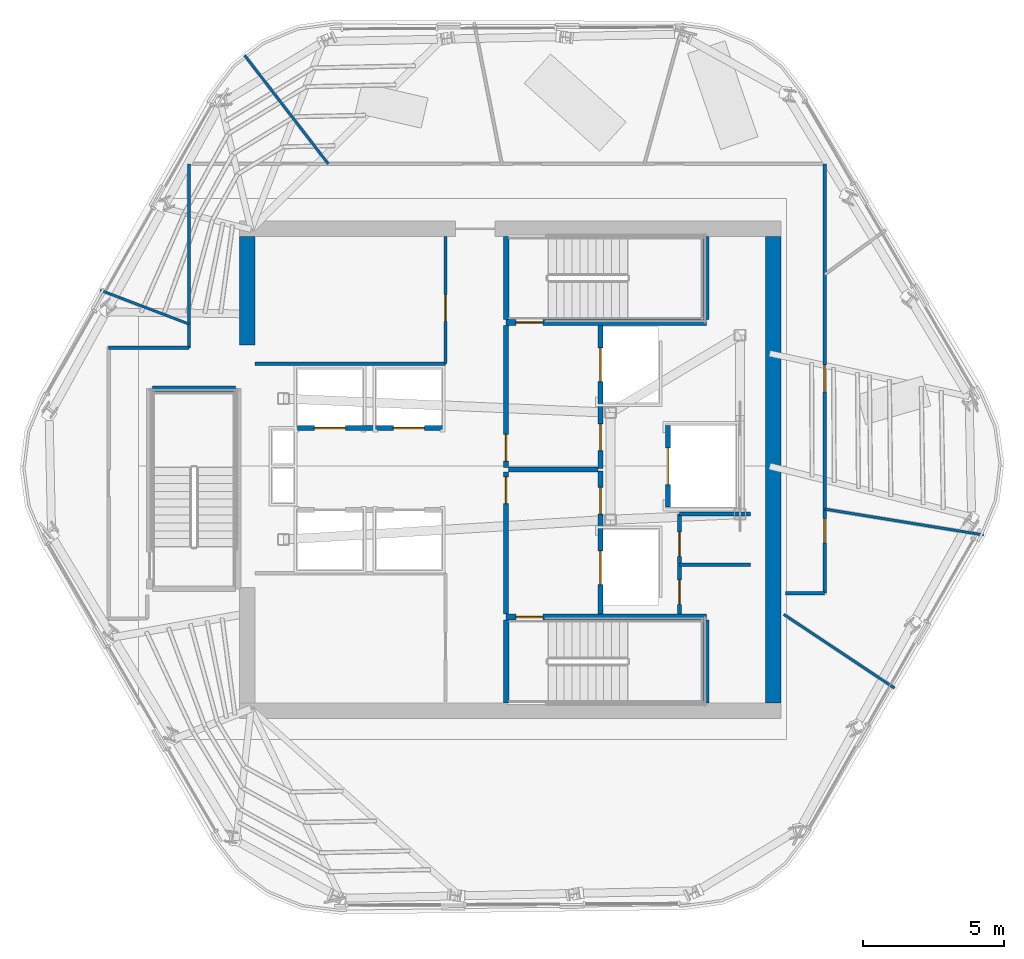
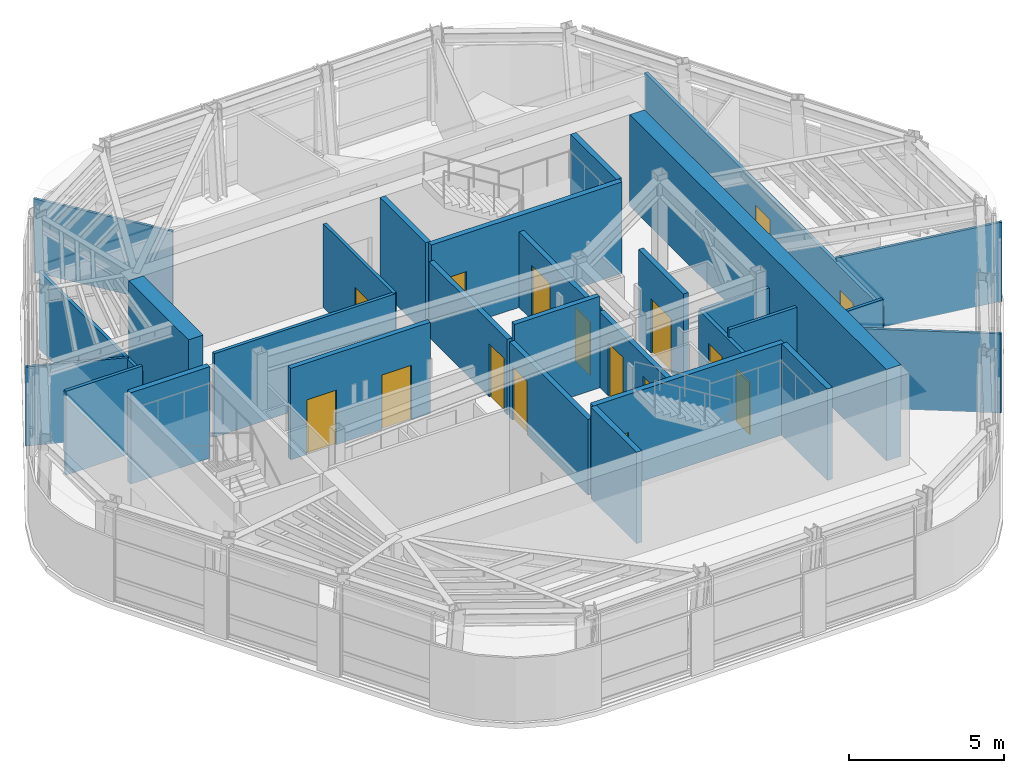
# One storey, part 7 of 13: 29 walls, 16 doors, 16 openings.
"""IFC4 building model written with IfcOpenShell, lengths in metres."""

from ifc_helpers import new_model, si_unit, direction, frame, frame_2d, origin, place, context, subcontext, project, spatial, rectangle, extrude, material, layer, layer_set, type_object, element, fill, save


model = new_model("IFC4")

# Units and contexts
model_context = context("Model", 3, precision=1e-05, world=origin(), true_north=direction((0.0, 1.0)))
body_context = subcontext(model_context, "Body", "Model", "MODEL_VIEW")
ifc_project = project(units=[si_unit("LENGTHUNIT", "METRE"), si_unit("AREAUNIT", "SQUARE_METRE"), si_unit("VOLUMEUNIT", "CUBIC_METRE"), si_unit("PLANEANGLEUNIT", "RADIAN"), si_unit("MASSUNIT", "GRAM", prefix="KILO")], contexts=[model_context])

# Site, building, storey
site_placement = place(None, origin())
site = spatial("IfcSite", under=ifc_project, at=site_placement, CompositionType="ELEMENT")
building_placement = place(site_placement, origin())
building = spatial("IfcBuilding", under=site, at=building_placement, Name="Valkerne Bourse Tower", CompositionType="ELEMENT")
storey_placement = place(building_placement, frame((0.0, 0.0, 285.0)))
storey = spatial("IfcBuildingStorey", under=building, at=storey_placement, Name="L72", CompositionType="ELEMENT", Elevation=285.0)

# Walls
ifc_material_1 = material(Name="Concrete C55/67", Category="concrete")
ifc_layer_1 = layer(ifc_material_1, 0.550048828125)
ifc_layer_set_1 = layer_set([ifc_layer_1], Name="Concrete C55/67")
wall_type_1 = type_object("IfcWallType", Name="W-CORE-550", PredefinedType="SHEAR", material=ifc_layer_set_1)
wall_1_placement = place(storey_placement, frame((56.125, 18.60009765625, 0.0), z_axis=(0.0, 0.0, 1.0), x_axis=(0.0, 1.0, 0.0)))
element("IfcWall", 1, at=wall_1_placement, inside=storey, type_object=wall_type_1, Name="L72 Core Shear Wall EAST", PredefinedType="SHEAR", context=body_context, shape_type="SweptSolid", body=[
    extrude(rectangle(XDim=16.5498046875, YDim=0.550048828125, at=frame_2d((8.27490234375, 0.0))), origin(), (0.0, 0.0, 1.0), 3.60009765625),
])
wall_2_placement = place(storey_placement, frame((37.47509765625, 31.300048828125, 0.0), z_axis=(0.0, 0.0, 1.0), x_axis=(0.0, 1.0, 0.0)))
element("IfcWall", 2, at=wall_2_placement, inside=storey, type_object=wall_type_1, Name="L72 Core Shear Wall WEST-N", PredefinedType="SHEAR", context=body_context, shape_type="SweptSolid", body=[
    extrude(rectangle(XDim=3.849853515625, YDim=0.550048828125, at=frame_2d((1.9248046875, 0.0))), origin(), (0.0, 0.0, 1.0), 3.60009765625),
])

# Wall, opening, door
ifc_material_2 = material(Name="Gypsum Board Steel-Stud Partition", Category="steel")
ifc_layer_2 = layer(ifc_material_2, 0.117919921875)
ifc_layer_set_2 = layer_set([ifc_layer_2], Name="Gypsum Board Steel-Stud Partition")
wall_type_2 = type_object("IfcWallType", Name="W-CORR-140", PredefinedType="PARTITIONING", material=ifc_layer_set_2)
wall_3_placement = place(storey_placement, frame((44.5, 30.639892578125, 0.0), z_axis=(0.0, 0.0, 1.0), x_axis=(0.0, 1.0, 0.0)))
wall_3 = element("IfcWall", 3, at=wall_3_placement, inside=storey, type_object=wall_type_2, Name="L72 LV7 Mid-Bank East Wall", PredefinedType="PARTITIONING", context=body_context, shape_type="SweptSolid", body=[
    extrude(rectangle(XDim=4.510009765625, YDim=0.117919921875, at=frame_2d((2.2548828125, 0.0))), origin(), (0.0, 0.0, 1.0), 3.300048828125),
])
opening_1_placement = place(wall_3_placement, frame((1.5, 0.0, 0.0)))
opening_1 = element("IfcOpeningElement", 4, at=opening_1_placement, cuts=wall_3, Name="Opening D-SV-950", PredefinedType="OPENING", context=body_context, shape_type="SweptSolid", body=[
    extrude(rectangle(XDim=0.949951171875, YDim=2.050048828125, at=frame_2d((0.47509765625, 1.02490234375))), frame((0.0, 0.06884765625, 0.0), z_axis=(0.0, -1.0, 0.0), x_axis=(1.0, 0.0, 0.0)), (0.0, 0.0, 1.0), 0.137939453125),
])
ifc_material_3 = material(Name="Galvanised Painted Steel", Category="steel")
door_type_1 = type_object("IfcDoorType", Name="DR-SRV-950", OperationType="NOTDEFINED", PredefinedType="DOOR", material=ifc_material_3)
door_1_placement = place(opening_1_placement, origin())
door_1 = element("IfcDoor", 5, at=door_1_placement, inside=storey, type_object=door_type_1, Name="L72 Executive Treasury Conference Door", OperationType="SINGLE_SWING_LEFT", OverallHeight=2.050048828125, OverallWidth=0.949951171875, PredefinedType="DOOR", context=body_context, shape_type="SweptSolid", body=[
    extrude(rectangle(XDim=0.949951171875, YDim=2.050048828125, at=frame_2d((0.47509765625, 1.02490234375))), frame((0.0, 0.02490234375, 0.0), z_axis=(0.0, -1.0, 0.0), x_axis=(1.0, 0.0, 0.0)), (0.0, 0.0, 1.0), 0.050048828125),
])
fill(opening_1, door_1)

# Walls
wall_4_placement = place(storey_placement, frame((37.75, 30.639892578125, 0.0), z_axis=(0.0, 0.0, 1.0), x_axis=(1.0, 0.0, 0.0)))
element("IfcWall", 6, at=wall_4_placement, inside=storey, type_object=wall_type_2, Name="L72 LV7 Mid-Bank South Wall", PredefinedType="PARTITIONING", context=body_context, shape_type="SweptSolid", body=[
    extrude(rectangle(XDim=6.75, YDim=0.117919921875, at=frame_2d((3.375, 0.0))), origin(), (0.0, 0.0, 1.0), 3.300048828125),
])
wall_5_placement = place(storey_placement, frame((52.800048828125, 23.510009765625, 0.0), z_axis=(0.0, 0.0, 1.0), x_axis=(1.0, 0.0, 0.0)))
element("IfcWall", 7, at=wall_5_placement, inside=storey, type_object=wall_type_2, Name="L72 Core SE Dual Divider", PredefinedType="PARTITIONING", context=body_context, shape_type="SweptSolid", body=[
    extrude(rectangle(XDim=2.52001953125, YDim=0.117919921875, at=frame_2d((1.260009765625, 0.0))), origin(), (0.0, 0.0, 1.0), 3.300048828125),
])
wall_6_placement = place(storey_placement, frame((35.39990234375, 31.199951171875, 0.0), z_axis=(0.0, 0.0, 1.0), x_axis=(0.0, 1.0, 0.0)))
element("IfcWall", 8, at=wall_6_placement, inside=storey, type_object=wall_type_2, Name="L72 Corridor Enclosure Wall", PredefinedType="PARTITIONING", context=body_context, shape_type="SweptSolid", body=[
    extrude(rectangle(XDim=6.52001953125, YDim=0.117919921875, at=frame_2d((3.260009765625, 0.0))), origin(), (0.0, 0.0, 1.0), 3.056640625),
])

# Wall, openings, doors
wall_7_placement = place(storey_placement, frame((57.949951171875, 37.719970703125, 0.0), z_axis=(0.0, 0.0, 1.0), x_axis=(0.0, -1.0, 0.0)))
wall_7 = element("IfcWall", 9, at=wall_7_placement, inside=storey, type_object=wall_type_2, Name="L72 Corridor Enclosure Wall", PredefinedType="PARTITIONING", context=body_context, shape_type="SweptSolid", body=[
    extrude(rectangle(XDim=15.219970703125, YDim=0.117919921875, at=frame_2d((7.60986328125, 0.0))), origin(), (0.0, 0.0, 1.0), 2.98291015625),
])
opening_2_placement = place(wall_7_placement, frame((12.580078125, 0.0, 0.0)))
opening_2 = element("IfcOpeningElement", 10, at=opening_2_placement, cuts=wall_7, Name="Opening D-WC-900", PredefinedType="OPENING", context=body_context, shape_type="SweptSolid", body=[
    extrude(rectangle(XDim=0.860107421875, YDim=2.050048828125, at=frame_2d((0.43017578125, 1.02490234375))), frame((0.0, 0.06884765625, 0.0), z_axis=(0.0, -1.0, 0.0), x_axis=(1.0, 0.0, 0.0)), (0.0, 0.0, 1.0), 0.137939453125),
])
opening_3_placement = place(wall_7_placement, frame((7.135009765625, 0.0, 0.0)))
opening_3 = element("IfcOpeningElement", 11, at=opening_3_placement, cuts=wall_7, Name="Opening D-OF-950", PredefinedType="OPENING", context=body_context, shape_type="SweptSolid", body=[
    extrude(rectangle(XDim=0.949951171875, YDim=2.10009765625, at=frame_2d((0.47509765625, 1.050048828125))), frame((0.0, 0.06884765625, 0.0), z_axis=(0.0, -1.0, 0.0), x_axis=(1.0, 0.0, 0.0)), (0.0, 0.0, 1.0), 0.137939453125),
])
ifc_material_4 = material(Name="Architectural White Oak Timber", Category="wood")
door_type_2 = type_object("IfcDoorType", Name="DR-OFF-950", OperationType="NOTDEFINED", PredefinedType="DOOR", material=ifc_material_4)
door_2_placement = place(opening_3_placement, origin())
door_2 = element("IfcDoor", 12, at=door_2_placement, inside=storey, type_object=door_type_2, Name="L72 L72 Commodities Market Showroom 6 Door", OperationType="SINGLE_SWING_RIGHT", OverallHeight=2.10009765625, OverallWidth=0.949951171875, PredefinedType="DOOR", context=body_context, shape_type="SweptSolid", body=[
    extrude(rectangle(XDim=0.949951171875, YDim=2.10009765625, at=frame_2d((0.47509765625, 1.050048828125))), frame((0.0, 0.02490234375, 0.0), z_axis=(0.0, -1.0, 0.0), x_axis=(1.0, 0.0, 0.0)), (0.0, 0.0, 1.0), 0.050048828125),
])
fill(opening_3, door_2)
door_type_3 = type_object("IfcDoorType", Name="DR-WC-900", OperationType="NOTDEFINED", PredefinedType="DOOR", material=ifc_material_4)
door_3_placement = place(opening_2_placement, origin())
door_3 = element("IfcDoor", 13, at=door_3_placement, inside=storey, type_object=door_type_3, Name="L72 L72 Women Restroom & Shower WC 2 Door", OperationType="SINGLE_SWING_RIGHT", OverallHeight=2.050048828125, OverallWidth=0.860107421875, PredefinedType="DOOR", context=body_context, shape_type="SweptSolid", body=[
    extrude(rectangle(XDim=0.860107421875, YDim=2.050048828125, at=frame_2d((0.43017578125, 1.02490234375))), frame((0.0, 0.02490234375, 0.0), z_axis=(0.0, -1.0, 0.0), x_axis=(1.0, 0.0, 0.0)), (0.0, 0.0, 1.0), 0.050048828125),
])
fill(opening_2, door_3)

# Walls
wall_8_placement = place(storey_placement, frame((57.949951171875, 22.5, 0.0), z_axis=(0.0, 0.0, 1.0), x_axis=(-1.0, 0.0, 0.0)))
element("IfcWall", 14, at=wall_8_placement, inside=storey, type_object=wall_type_2, Name="L72 Corridor Enclosure Wall", PredefinedType="PARTITIONING", context=body_context, shape_type="SweptSolid", body=[
    extrude(rectangle(XDim=1.389892578125, YDim=0.117919921875, at=frame_2d((0.69482421875, 0.0))), origin(), (0.0, 0.0, 1.0), 3.300048828125),
])
wall_9_placement = place(storey_placement, frame((32.550048828125, 31.199951171875, 0.0), z_axis=(0.0, 0.0, 1.0), x_axis=(1.0, 0.0, 0.0)))
element("IfcWall", 15, at=wall_9_placement, inside=storey, type_object=wall_type_2, Name="L72 Corridor Enclosure Wall", PredefinedType="PARTITIONING", context=body_context, shape_type="SweptSolid", body=[
    extrude(rectangle(XDim=2.849853515625, YDim=0.117919921875, at=frame_2d((1.4248046875, 0.0))), origin(), (0.0, 0.0, 1.0), 3.300048828125),
])
ifc_material_5 = material(Name="Gypsum Fire-Rated Shaftwall", Category="gypsum")
ifc_layer_3 = layer(ifc_material_5, 0.179931640625)
ifc_layer_set_3 = layer_set([ifc_layer_3], Name="Gypsum Fire-Rated Shaftwall")
wall_type_3 = type_object("IfcWallType", Name="W-FSAE-180", PredefinedType="PARTITIONING", material=ifc_layer_set_3)
wall_10_placement = place(storey_placement, frame((46.739990234375, 26.8798828125, 0.0), z_axis=(0.0, 0.0, 1.0), x_axis=(1.0, 0.0, 0.0)))
element("IfcWall", 16, at=wall_10_placement, inside=storey, type_object=wall_type_3, Name="L72 FSAE-1/2 Lobby Dividing Fire Wall", PredefinedType="PARTITIONING", context=body_context, shape_type="SweptSolid", body=[
    extrude(rectangle(XDim=3.169921875, YDim=0.179931640625, at=frame_2d((1.5849609375, 0.0))), origin(), (0.0, 0.0, 1.0), 3.60009765625),
])

# Wall, opening, door
wall_11_placement = place(storey_placement, frame((46.64990234375, 21.75, 0.0), z_axis=(0.0, 0.0, 1.0), x_axis=(0.0, 1.0, 0.0)))
wall_11 = element("IfcWall", 17, at=wall_11_placement, inside=storey, type_object=wall_type_3, Name="L72 FSAE-1 Lobby West Fire Wall", PredefinedType="PARTITIONING", context=body_context, shape_type="SweptSolid", body=[
    extrude(rectangle(XDim=5.050048828125, YDim=0.179931640625, at=frame_2d((2.52490234375, 0.0))), origin(), (0.0, 0.0, 1.0), 2.977783203125),
])
opening_4_placement = place(wall_11_placement, frame((3.919921875, 0.0, 0.0)))
opening_4 = element("IfcOpeningElement", 18, at=opening_4_placement, cuts=wall_11, Name="Opening D-FS-950", PredefinedType="OPENING", context=body_context, shape_type="SweptSolid", body=[
    extrude(rectangle(XDim=0.949951171875, YDim=2.10009765625, at=frame_2d((0.47509765625, 1.050048828125))), frame((0.0, 0.099853515625, 0.0), z_axis=(0.0, -1.0, 0.0), x_axis=(1.0, 0.0, 0.0)), (0.0, 0.0, 1.0), 0.199951171875),
])
door_type_4 = type_object("IfcDoorType", Name="DR-FSAE-950", OperationType="NOTDEFINED", PredefinedType="DOOR", material=ifc_material_3)
door_4_placement = place(opening_4_placement, origin())
door_4 = element("IfcDoor", 19, at=door_4_placement, inside=storey, type_object=door_type_4, Name="L72 FSAE-1 Hall Link Fire Door", OperationType="SINGLE_SWING_LEFT", OverallHeight=2.10009765625, OverallWidth=0.949951171875, PredefinedType="DOOR", context=body_context, shape_type="SweptSolid", body=[
    extrude(rectangle(XDim=0.949951171875, YDim=2.10009765625, at=frame_2d((0.47509765625, 1.050048828125))), frame((0.0, 0.02490234375, 0.0), z_axis=(0.0, -1.0, 0.0), x_axis=(1.0, 0.0, 0.0)), (0.0, 0.0, 1.0), 0.050048828125),
])
fill(opening_4, door_4)

wall_12_placement = place(storey_placement, frame((46.64990234375, 26.9599609375, 0.0), z_axis=(0.0, 0.0, 1.0), x_axis=(0.0, 1.0, 0.0)))
wall_12 = element("IfcWall", 20, at=wall_12_placement, inside=storey, type_object=wall_type_3, Name="L72 FSAE-2 Lobby West Fire Wall", PredefinedType="PARTITIONING", context=body_context, shape_type="SweptSolid", body=[
    extrude(rectangle(XDim=5.0400390625, YDim=0.179931640625, at=frame_2d((2.52001953125, 0.0))), origin(), (0.0, 0.0, 1.0), 2.977783203125),
])
opening_5_placement = place(wall_12_placement, frame((0.219970703125, 0.0, 0.0)))
opening_5 = element("IfcOpeningElement", 21, at=opening_5_placement, cuts=wall_12, Name="Opening D-FS-950", PredefinedType="OPENING", context=body_context, shape_type="SweptSolid", body=[
    extrude(rectangle(XDim=0.949951171875, YDim=2.10009765625, at=frame_2d((0.47509765625, 1.050048828125))), frame((0.0, 0.099853515625, 0.0), z_axis=(0.0, -1.0, 0.0), x_axis=(1.0, 0.0, 0.0)), (0.0, 0.0, 1.0), 0.199951171875),
])
door_5_placement = place(opening_5_placement, origin())
door_5 = element("IfcDoor", 22, at=door_5_placement, inside=storey, type_object=door_type_4, Name="L72 FSAE-2 Hall Link Fire Door", OperationType="SINGLE_SWING_LEFT", OverallHeight=2.10009765625, OverallWidth=0.949951171875, PredefinedType="DOOR", context=body_context, shape_type="SweptSolid", body=[
    extrude(rectangle(XDim=0.949951171875, YDim=2.10009765625, at=frame_2d((0.47509765625, 1.050048828125))), frame((0.0, 0.02490234375, 0.0), z_axis=(0.0, -1.0, 0.0), x_axis=(1.0, 0.0, 0.0)), (0.0, 0.0, 1.0), 0.050048828125),
])
fill(opening_5, door_5)

# Wall, openings, doors
wall_13_placement = place(storey_placement, frame((50.0, 21.75, 0.0), z_axis=(0.0, 0.0, 1.0), x_axis=(0.0, 1.0, 0.0)))
wall_13 = element("IfcWall", 23, at=wall_13_placement, inside=storey, type_object=wall_type_3, Name="L72 FSAE-1 Lobby & Shaft Front Wall", PredefinedType="PARTITIONING", context=body_context, shape_type="SweptSolid", body=[
    extrude(rectangle(XDim=5.090087890625, YDim=0.179931640625, at=frame_2d((2.544921875, 0.0))), origin(), (0.0, 0.0, 1.0), 2.977783203125),
])
opening_6_placement = place(wall_13_placement, frame((1.050048828125, 0.0, 0.0)))
opening_6 = element("IfcOpeningElement", 24, at=opening_6_placement, cuts=wall_13, Name="Opening LD-1200", PredefinedType="OPENING", context=body_context, shape_type="SweptSolid", body=[
    extrude(rectangle(XDim=1.199951171875, YDim=2.14990234375, at=frame_2d((0.60009765625, 1.074951171875))), frame((0.0, 0.099853515625, 0.0), z_axis=(0.0, -1.0, 0.0), x_axis=(1.0, 0.0, 0.0)), (0.0, 0.0, 1.0), 0.199951171875),
])
opening_7_placement = place(wall_13_placement, frame((3.550048828125, 0.0, 0.0)))
opening_7 = element("IfcOpeningElement", 25, at=opening_7_placement, cuts=wall_13, Name="Opening D-FS-950", PredefinedType="OPENING", context=body_context, shape_type="SweptSolid", body=[
    extrude(rectangle(XDim=0.949951171875, YDim=2.10009765625, at=frame_2d((0.47509765625, 1.050048828125))), frame((0.0, 0.099853515625, 0.0), z_axis=(0.0, -1.0, 0.0), x_axis=(1.0, 0.0, 0.0)), (0.0, 0.0, 1.0), 0.199951171875),
])
door_6_placement = place(opening_7_placement, origin())
door_6 = element("IfcDoor", 26, at=door_6_placement, inside=storey, type_object=door_type_4, Name="L72 FSAE-1 Lobby Corridor Fire Door", OperationType="SINGLE_SWING_LEFT", OverallHeight=2.10009765625, OverallWidth=0.949951171875, PredefinedType="DOOR", context=body_context, shape_type="SweptSolid", body=[
    extrude(rectangle(XDim=0.949951171875, YDim=2.10009765625, at=frame_2d((0.47509765625, 1.050048828125))), frame((0.0, 0.02490234375, 0.0), z_axis=(0.0, -1.0, 0.0), x_axis=(1.0, 0.0, 0.0)), (0.0, 0.0, 1.0), 0.050048828125),
])
fill(opening_7, door_6)
ifc_material_6 = material(Name="Stainless Steel AISI 316", Category="steel")
door_type_5 = type_object("IfcDoorType", Name="DR-LIFT-1200", OperationType="DOUBLE_DOOR_SLIDING", PredefinedType="DOOR", material=ifc_material_6)
door_7_placement = place(opening_6_placement, origin())
door_7 = element("IfcDoor", 27, at=door_7_placement, inside=storey, type_object=door_type_5, Name="L72 FSAE-1 Firefighting Lift Landing Door", OperationType="DOUBLE_DOOR_SLIDING", OverallHeight=2.14990234375, OverallWidth=1.199951171875, PredefinedType="DOOR", context=body_context, shape_type="SweptSolid", body=[
    extrude(rectangle(XDim=1.199951171875, YDim=2.14990234375, at=frame_2d((0.60009765625, 1.074951171875))), frame((0.0, 0.02490234375, 0.0), z_axis=(0.0, -1.0, 0.0), x_axis=(1.0, 0.0, 0.0)), (0.0, 0.0, 1.0), 0.050048828125),
])
fill(opening_6, door_7)

wall_14_placement = place(storey_placement, frame((50.0, 26.919921875, 0.0), z_axis=(0.0, 0.0, 1.0), x_axis=(0.0, 1.0, 0.0)))
wall_14 = element("IfcWall", 28, at=wall_14_placement, inside=storey, type_object=wall_type_3, Name="L72 FSAE-2 Lobby & Shaft Front Wall", PredefinedType="PARTITIONING", context=body_context, shape_type="SweptSolid", body=[
    extrude(rectangle(XDim=5.080078125, YDim=0.179931640625, at=frame_2d((2.5400390625, 0.0))), origin(), (0.0, 0.0, 1.0), 2.977783203125),
])
opening_8_placement = place(wall_14_placement, frame((3.080078125, 0.0, 0.0)))
opening_8 = element("IfcOpeningElement", 29, at=opening_8_placement, cuts=wall_14, Name="Opening LD-1200", PredefinedType="OPENING", context=body_context, shape_type="SweptSolid", body=[
    extrude(rectangle(XDim=1.199951171875, YDim=2.14990234375, at=frame_2d((0.60009765625, 1.074951171875))), frame((0.0, 0.099853515625, 0.0), z_axis=(0.0, -1.0, 0.0), x_axis=(1.0, 0.0, 0.0)), (0.0, 0.0, 1.0), 0.199951171875),
])
opening_9_placement = place(wall_14_placement, frame((0.6298828125, 0.0, 0.0)))
opening_9 = element("IfcOpeningElement", 30, at=opening_9_placement, cuts=wall_14, Name="Opening D-FS-950", PredefinedType="OPENING", context=body_context, shape_type="SweptSolid", body=[
    extrude(rectangle(XDim=0.949951171875, YDim=2.10009765625, at=frame_2d((0.47509765625, 1.050048828125))), frame((0.0, 0.099853515625, 0.0), z_axis=(0.0, -1.0, 0.0), x_axis=(1.0, 0.0, 0.0)), (0.0, 0.0, 1.0), 0.199951171875),
])
door_8_placement = place(opening_9_placement, origin())
door_8 = element("IfcDoor", 31, at=door_8_placement, inside=storey, type_object=door_type_4, Name="L72 FSAE-2 Lobby Corridor Fire Door", OperationType="SINGLE_SWING_LEFT", OverallHeight=2.10009765625, OverallWidth=0.949951171875, PredefinedType="DOOR", context=body_context, shape_type="SweptSolid", body=[
    extrude(rectangle(XDim=0.949951171875, YDim=2.10009765625, at=frame_2d((0.47509765625, 1.050048828125))), frame((0.0, 0.02490234375, 0.0), z_axis=(0.0, -1.0, 0.0), x_axis=(1.0, 0.0, 0.0)), (0.0, 0.0, 1.0), 0.050048828125),
])
fill(opening_9, door_8)
door_9_placement = place(opening_8_placement, origin())
door_9 = element("IfcDoor", 32, at=door_9_placement, inside=storey, type_object=door_type_5, Name="L72 FSAE-2 Firefighting Lift Landing Door", OperationType="DOUBLE_DOOR_SLIDING", OverallHeight=2.14990234375, OverallWidth=1.199951171875, PredefinedType="DOOR", context=body_context, shape_type="SweptSolid", body=[
    extrude(rectangle(XDim=1.199951171875, YDim=2.14990234375, at=frame_2d((0.60009765625, 1.074951171875))), frame((0.0, 0.02490234375, 0.0), z_axis=(0.0, -1.0, 0.0), x_axis=(1.0, 0.0, 0.0)), (0.0, 0.0, 1.0), 0.050048828125),
])
fill(opening_8, door_9)

# Wall, opening, door
ifc_material_7 = material(Name="CMU Blockwork Masonry 200mm", Category="masonry")
ifc_layer_4 = layer(ifc_material_7, 0.179931640625)
ifc_layer_set_4 = layer_set([ifc_layer_4], Name="CMU Blockwork Masonry 200mm")
wall_type_4 = type_object("IfcWallType", Name="W-LFT-180", PredefinedType="SOLIDWALL", material=ifc_layer_set_4)
wall_15_placement = place(storey_placement, frame((52.39990234375, 25.550048828125, 0.0), z_axis=(0.0, 0.0, 1.0), x_axis=(0.0, 1.0, 0.0)))
wall_15 = element("IfcWall", 33, at=wall_15_placement, inside=storey, type_object=wall_type_4, Name="L72 Service Lift SV-1 Front Wall", PredefinedType="SOLIDWALL", context=body_context, shape_type="SweptSolid", body=[
    extrude(rectangle(XDim=2.89990234375, YDim=0.179931640625, at=frame_2d((1.449951171875, 0.0))), origin(), (0.0, 0.0, 1.0), 3.60009765625),
])
opening_10_placement = place(wall_15_placement, frame((0.800048828125, 0.0, 0.0)))
opening_10 = element("IfcOpeningElement", 34, at=opening_10_placement, cuts=wall_15, Name="Opening LD-1300", PredefinedType="OPENING", context=body_context, shape_type="SweptSolid", body=[
    extrude(rectangle(XDim=1.300048828125, YDim=2.14990234375, at=frame_2d((0.64990234375, 1.074951171875))), frame((0.0, 0.099853515625, 0.0), z_axis=(0.0, -1.0, 0.0), x_axis=(1.0, 0.0, 0.0)), (0.0, 0.0, 1.0), 0.199951171875),
])
door_type_6 = type_object("IfcDoorType", Name="DR-LIFT-1300", OperationType="DOUBLE_DOOR_SLIDING", PredefinedType="DOOR", material=ifc_material_6)
door_10_placement = place(opening_10_placement, origin())
door_10 = element("IfcDoor", 35, at=door_10_placement, inside=storey, type_object=door_type_6, Name="L72 Service Lift SV-1 Landing Door", OperationType="DOUBLE_DOOR_SLIDING", OverallHeight=2.14990234375, OverallWidth=1.300048828125, PredefinedType="DOOR", context=body_context, shape_type="SweptSolid", body=[
    extrude(rectangle(XDim=1.300048828125, YDim=2.14990234375, at=frame_2d((0.64990234375, 1.074951171875))), frame((0.0, 0.02490234375, 0.0), z_axis=(0.0, -1.0, 0.0), x_axis=(1.0, 0.0, 0.0)), (0.0, 0.0, 1.0), 0.050048828125),
])
fill(opening_10, door_10)

# Wall, openings, doors
wall_16_placement = place(storey_placement, frame((39.25, 28.35009765625, 0.0), z_axis=(0.0, 0.0, 1.0), x_axis=(1.0, 0.0, 0.0)))
wall_16 = element("IfcWall", 36, at=wall_16_placement, inside=storey, type_object=wall_type_4, Name="L72 High-Zone North Cars Front Wall", PredefinedType="SOLIDWALL", context=body_context, shape_type="SweptSolid", body=[
    extrude(rectangle(XDim=5.199951171875, YDim=0.179931640625, at=frame_2d((2.60009765625, 0.0))), origin(), (0.0, 0.0, 1.0), 3.60009765625),
])
opening_11_placement = place(wall_16_placement, frame((0.60009765625, 0.0, 0.0)))
opening_11 = element("IfcOpeningElement", 37, at=opening_11_placement, cuts=wall_16, Name="Opening LD-1100", PredefinedType="OPENING", context=body_context, shape_type="SweptSolid", body=[
    extrude(rectangle(XDim=1.10009765625, YDim=2.14990234375, at=frame_2d((0.550048828125, 1.074951171875))), frame((0.0, 0.099853515625, 0.0), z_axis=(0.0, -1.0, 0.0), x_axis=(1.0, 0.0, 0.0)), (0.0, 0.0, 1.0), 0.199951171875),
])
opening_12_placement = place(wall_16_placement, frame((3.39990234375, 0.0, 0.0)))
opening_12 = element("IfcOpeningElement", 38, at=opening_12_placement, cuts=wall_16, Name="Opening LD-1100", PredefinedType="OPENING", context=body_context, shape_type="SweptSolid", body=[
    extrude(rectangle(XDim=1.10009765625, YDim=2.14990234375, at=frame_2d((0.550048828125, 1.074951171875))), frame((0.0, 0.099853515625, 0.0), z_axis=(0.0, -1.0, 0.0), x_axis=(1.0, 0.0, 0.0)), (0.0, 0.0, 1.0), 0.199951171875),
])
door_type_7 = type_object("IfcDoorType", Name="DR-LIFT-1100", OperationType="DOUBLE_DOOR_SLIDING", PredefinedType="DOOR", material=ifc_material_6)
door_11_placement = place(opening_11_placement, origin())
door_11 = element("IfcDoor", 39, at=door_11_placement, inside=storey, type_object=door_type_7, Name="L72 Passenger Lift PL-H3 Sliding Landing Door", OperationType="DOUBLE_DOOR_SLIDING", OverallHeight=2.14990234375, OverallWidth=1.10009765625, PredefinedType="DOOR", context=body_context, shape_type="SweptSolid", body=[
    extrude(rectangle(XDim=1.10009765625, YDim=2.14990234375, at=frame_2d((0.550048828125, 1.074951171875))), frame((0.0, 0.02490234375, 0.0), z_axis=(0.0, -1.0, 0.0), x_axis=(1.0, 0.0, 0.0)), (0.0, 0.0, 1.0), 0.050048828125),
])
fill(opening_11, door_11)
door_12_placement = place(opening_12_placement, origin())
door_12 = element("IfcDoor", 40, at=door_12_placement, inside=storey, type_object=door_type_7, Name="L72 Passenger Lift PL-H4 Sliding Landing Door", OperationType="DOUBLE_DOOR_SLIDING", OverallHeight=2.14990234375, OverallWidth=1.10009765625, PredefinedType="DOOR", context=body_context, shape_type="SweptSolid", body=[
    extrude(rectangle(XDim=1.10009765625, YDim=2.14990234375, at=frame_2d((0.550048828125, 1.074951171875))), frame((0.0, 0.02490234375, 0.0), z_axis=(0.0, -1.0, 0.0), x_axis=(1.0, 0.0, 0.0)), (0.0, 0.0, 1.0), 0.050048828125),
])
fill(opening_12, door_12)

# Walls
ifc_layer_5 = layer(ifc_material_2, 0.092041015625)
ifc_layer_set_5 = layer_set([ifc_layer_5], Name="Gypsum Board Steel-Stud Partition")
wall_type_5 = type_object("IfcWallType", Name="W-PART-115", PredefinedType="PARTITIONING", material=ifc_layer_set_5)
wall_17_placement = place(storey_placement, frame((40.340576171875, 37.72509765625, 0.0), z_axis=(0.0, 0.0, 1.0), x_axis=(-0.610145330899, 0.79228951475, 0.0)))
element("IfcWall", 41, at=wall_17_placement, inside=storey, type_object=wall_type_5, Name="L72 Suite Partition P03", PredefinedType="PARTITIONING", context=body_context, shape_type="SweptSolid", body=[
    extrude(rectangle(XDim=4.85888671875, YDim=0.092041015625, at=frame_2d((2.429443359375, 0.0))), origin(), (0.0, 0.0, 1.0), 2.896484375),
])
wall_18_placement = place(storey_placement, frame((35.39501953125, 32.0458984375, 0.0), z_axis=(0.0, 0.0, 1.0), x_axis=(-0.934137356789, 0.356913713173, 0.0)))
element("IfcWall", 42, at=wall_18_placement, inside=storey, type_object=wall_type_5, Name="L72 Suite Partition P04", PredefinedType="PARTITIONING", context=body_context, shape_type="SweptSolid", body=[
    extrude(rectangle(XDim=3.35986328125, YDim=0.092041015625, at=frame_2d((1.679931640625, 0.0))), origin(), (0.0, 0.0, 1.0), 3.114990234375),
])
wall_19_placement = place(storey_placement, frame((56.5, 21.743896484375, 0.0), z_axis=(0.0, 0.0, 1.0), x_axis=(0.832566894742, -0.553924512708, 0.0)))
element("IfcWall", 43, at=wall_19_placement, inside=storey, type_object=wall_type_5, Name="L72 Suite Partition P05", PredefinedType="PARTITIONING", context=body_context, shape_type="SweptSolid", body=[
    extrude(rectangle(XDim=4.72265625, YDim=0.092041015625, at=frame_2d((2.361328125, 0.0))), origin(), (0.0, 0.0, 1.0), 3.114990234375),
])
wall_20_placement = place(storey_placement, frame((57.955078125, 25.47900390625, 0.0), z_axis=(0.0, 0.0, 1.0), x_axis=(0.987037565716, -0.16048938864, 0.0)))
element("IfcWall", 44, at=wall_20_placement, inside=storey, type_object=wall_type_5, Name="L72 Suite Partition P06", PredefinedType="PARTITIONING", context=body_context, shape_type="SweptSolid", body=[
    extrude(rectangle(XDim=5.703125, YDim=0.092041015625, at=frame_2d((2.8515625, 0.0))), origin(), (0.0, 0.0, 1.0), 3.114990234375),
])

# Wall, opening, door
ifc_material_8 = material(Name="Concrete C40/50", Category="concrete")
ifc_layer_6 = layer(ifc_material_8, 0.199951171875)
ifc_layer_set_6 = layer_set([ifc_layer_6], Name="Concrete C40/50")
wall_type_6 = type_object("IfcWallType", Name="W-SHF-200", PredefinedType="SHEAR", material=ifc_layer_set_6)
wall_21_placement = place(storey_placement, frame((46.64990234375, 21.64990234375, 0.0), z_axis=(0.0, 0.0, 1.0), x_axis=(1.0, 0.0, 0.0)))
wall_21 = element("IfcWall", 45, at=wall_21_placement, inside=storey, type_object=wall_type_6, Name="L72 Exit Stair ST-1 Structural Shaft Wall North", PredefinedType="SHEAR", context=body_context, shape_type="SweptSolid", body=[
    extrude(rectangle(XDim=7.10009765625, YDim=0.199951171875, at=frame_2d((3.550048828125, 0.0))), origin(), (0.0, 0.0, 1.0), 3.60009765625),
])
opening_13_placement = place(wall_21_placement, frame((0.35009765625, 0.0, 0.0)))
opening_13 = element("IfcOpeningElement", 46, at=opening_13_placement, cuts=wall_21, Name="Opening D-ST-950", PredefinedType="OPENING", context=body_context, shape_type="SweptSolid", body=[
    extrude(rectangle(XDim=0.949951171875, YDim=2.10009765625, at=frame_2d((0.47509765625, 1.050048828125))), frame((0.0, 0.10986328125, 0.0), z_axis=(0.0, -1.0, 0.0), x_axis=(1.0, 0.0, 0.0)), (0.0, 0.0, 1.0), 0.219970703125),
])
door_type_8 = type_object("IfcDoorType", Name="DR-STAIR-950", OperationType="NOTDEFINED", PredefinedType="DOOR", material=ifc_material_3)
door_13_placement = place(opening_13_placement, origin())
door_13 = element("IfcDoor", 47, at=door_13_placement, inside=storey, type_object=door_type_8, Name="L72 Exit Stair ST-1 Door", OperationType="SINGLE_SWING_RIGHT", OverallHeight=2.10009765625, OverallWidth=0.949951171875, PredefinedType="DOOR", context=body_context, shape_type="SweptSolid", body=[
    extrude(rectangle(XDim=0.949951171875, YDim=2.10009765625, at=frame_2d((0.47509765625, 1.050048828125))), frame((0.0, 0.02490234375, 0.0), z_axis=(0.0, -1.0, 0.0), x_axis=(1.0, 0.0, 0.0)), (0.0, 0.0, 1.0), 0.050048828125),
])
fill(opening_13, door_13)

# Walls
for number, where, z_axis, x_axis, name in (
    (48, (46.64990234375, 18.60009765625, 0.0), (0.0, 0.0, 1.0), (0.0, 1.0, 0.0), "L72 Exit Stair ST-1 Structural Shaft Wall West"),
    (49, (53.75, 18.60009765625, 0.0), (0.0, 0.0, 1.0), (0.0, 1.0, 0.0), "L72 Exit Stair ST-1 Structural Shaft Wall East"),
):
    element("IfcWall", number, at=place(storey_placement, frame(where, z_axis=z_axis, x_axis=x_axis)), inside=storey, type_object=wall_type_6, Name=name, PredefinedType="SHEAR", context=body_context, shape_type="SweptSolid", body=[
        extrude(rectangle(XDim=2.949951171875, YDim=0.199951171875, at=frame_2d((1.47509765625, 0.0))), origin(), (0.0, 0.0, 1.0), 3.60009765625),
    ])

# Wall, opening, door
wall_22_placement = place(storey_placement, frame((46.64990234375, 32.10009765625, 0.0), z_axis=(0.0, 0.0, 1.0), x_axis=(1.0, 0.0, 0.0)))
wall_22 = element("IfcWall", 50, at=wall_22_placement, inside=storey, type_object=wall_type_6, Name="L72 Exit Stair ST-2 Structural Shaft Wall South", PredefinedType="SHEAR", context=body_context, shape_type="SweptSolid", body=[
    extrude(rectangle(XDim=7.10009765625, YDim=0.199951171875, at=frame_2d((3.550048828125, 0.0))), origin(), (0.0, 0.0, 1.0), 3.60009765625),
])
opening_14_placement = place(wall_22_placement, frame((0.35009765625, 0.0, 0.0)))
opening_14 = element("IfcOpeningElement", 51, at=opening_14_placement, cuts=wall_22, Name="Opening D-ST-950", PredefinedType="OPENING", context=body_context, shape_type="SweptSolid", body=[
    extrude(rectangle(XDim=0.949951171875, YDim=2.10009765625, at=frame_2d((0.47509765625, 1.050048828125))), frame((0.0, 0.10986328125, 0.0), z_axis=(0.0, -1.0, 0.0), x_axis=(1.0, 0.0, 0.0)), (0.0, 0.0, 1.0), 0.219970703125),
])
door_14_placement = place(opening_14_placement, origin())
door_14 = element("IfcDoor", 52, at=door_14_placement, inside=storey, type_object=door_type_8, Name="L72 Exit Stair ST-2 Door", OperationType="SINGLE_SWING_RIGHT", OverallHeight=2.10009765625, OverallWidth=0.949951171875, PredefinedType="DOOR", context=body_context, shape_type="SweptSolid", body=[
    extrude(rectangle(XDim=0.949951171875, YDim=2.10009765625, at=frame_2d((0.47509765625, 1.050048828125))), frame((0.0, 0.02490234375, 0.0), z_axis=(0.0, -1.0, 0.0), x_axis=(1.0, 0.0, 0.0)), (0.0, 0.0, 1.0), 0.050048828125),
])
fill(opening_14, door_14)

# Walls
for number, where, z_axis, x_axis, name in (
    (53, (46.64990234375, 32.199951171875, 0.0), (0.0, 0.0, 1.0), (0.0, 1.0, 0.0), "L72 Exit Stair ST-2 Structural Shaft Wall West"),
    (54, (53.75, 32.199951171875, 0.0), (0.0, 0.0, 1.0), (0.0, 1.0, 0.0), "L72 Exit Stair ST-2 Structural Shaft Wall East"),
    (55, (34.10009765625, 29.75, 0.0), (0.0, 0.0, 1.0), (1.0, 0.0, 0.0), "L72 Exit Stair ST-3 Structural Shaft Wall North"),
):
    element("IfcWall", number, at=place(storey_placement, frame(where, z_axis=z_axis, x_axis=x_axis)), inside=storey, type_object=wall_type_6, Name=name, PredefinedType="SHEAR", context=body_context, shape_type="SweptSolid", body=[
        extrude(rectangle(XDim=2.949951171875, YDim=0.199951171875, at=frame_2d((1.47509765625, 0.0))), origin(), (0.0, 0.0, 1.0), 3.60009765625),
    ])

# Wall, openings, doors
ifc_material_9 = material(Name="Moisture-Resistant Gypsum Partition", Category="gypsum")
ifc_layer_7 = layer(ifc_material_9, 0.139892578125)
ifc_layer_set_7 = layer_set([ifc_layer_7], Name="Moisture-Resistant Gypsum Partition")
wall_type_7 = type_object("IfcWallType", Name="W-WET-140", PredefinedType="PARTITIONING", material=ifc_layer_set_7)
wall_23_placement = place(storey_placement, frame((52.800048828125, 21.75, 0.0), z_axis=(0.0, 0.0, 1.0), x_axis=(0.0, 1.0, 0.0)))
wall_23 = element("IfcWall", 56, at=wall_23_placement, inside=storey, type_object=wall_type_7, Name="L72 Core SE Dual West Wall", PredefinedType="PARTITIONING", context=body_context, shape_type="SweptSolid", body=[
    extrude(rectangle(XDim=3.550048828125, YDim=0.139892578125, at=frame_2d((1.77490234375, 0.0))), origin(), (0.0, 0.0, 1.0), 2.977783203125),
])
opening_15_placement = place(wall_23_placement, frame((0.35009765625, 0.0, 0.0)))
opening_15 = element("IfcOpeningElement", 57, at=opening_15_placement, cuts=wall_23, Name="Opening D-WC-900", PredefinedType="OPENING", context=body_context, shape_type="SweptSolid", body=[
    extrude(rectangle(XDim=0.860107421875, YDim=2.050048828125, at=frame_2d((0.43017578125, 1.02490234375))), frame((0.0, 0.079833984375, 0.0), z_axis=(0.0, -1.0, 0.0), x_axis=(1.0, 0.0, 0.0)), (0.0, 0.0, 1.0), 0.159912109375),
])
opening_16_placement = place(wall_23_placement, frame((2.050048828125, 0.0, 0.0)))
opening_16 = element("IfcOpeningElement", 58, at=opening_16_placement, cuts=wall_23, Name="Opening D-WC-900", PredefinedType="OPENING", context=body_context, shape_type="SweptSolid", body=[
    extrude(rectangle(XDim=0.860107421875, YDim=2.050048828125, at=frame_2d((0.43017578125, 1.02490234375))), frame((0.0, 0.079833984375, 0.0), z_axis=(0.0, -1.0, 0.0), x_axis=(1.0, 0.0, 0.0)), (0.0, 0.0, 1.0), 0.159912109375),
])
door_15_placement = place(opening_15_placement, origin())
door_15 = element("IfcDoor", 59, at=door_15_placement, inside=storey, type_object=door_type_3, Name="L72 Linen Store Door", OperationType="SINGLE_SWING_LEFT", OverallHeight=2.050048828125, OverallWidth=0.860107421875, PredefinedType="DOOR", context=body_context, shape_type="SweptSolid", body=[
    extrude(rectangle(XDim=0.860107421875, YDim=2.050048828125, at=frame_2d((0.43017578125, 1.02490234375))), frame((0.0, 0.02490234375, 0.0), z_axis=(0.0, -1.0, 0.0), x_axis=(1.0, 0.0, 0.0)), (0.0, 0.0, 1.0), 0.050048828125),
])
fill(opening_15, door_15)
door_16_placement = place(opening_16_placement, origin())
door_16 = element("IfcDoor", 60, at=door_16_placement, inside=storey, type_object=door_type_3, Name="L72 Espresso Kitchen Door", OperationType="SINGLE_SWING_RIGHT", OverallHeight=2.050048828125, OverallWidth=0.860107421875, PredefinedType="DOOR", context=body_context, shape_type="SweptSolid", body=[
    extrude(rectangle(XDim=0.860107421875, YDim=2.050048828125, at=frame_2d((0.43017578125, 1.02490234375))), frame((0.0, 0.02490234375, 0.0), z_axis=(0.0, -1.0, 0.0), x_axis=(1.0, 0.0, 0.0)), (0.0, 0.0, 1.0), 0.050048828125),
])
fill(opening_16, door_16)

# Wall
wall_24_placement = place(storey_placement, frame((52.800048828125, 25.300048828125, 0.0), z_axis=(0.0, 0.0, 1.0), x_axis=(1.0, 0.0, 0.0)))
element("IfcWall", 61, at=wall_24_placement, inside=storey, type_object=wall_type_7, Name="L72 Core SE Dual North Wall", PredefinedType="PARTITIONING", context=body_context, shape_type="SweptSolid", body=[
    extrude(rectangle(XDim=2.52001953125, YDim=0.139892578125, at=frame_2d((1.260009765625, 0.0))), origin(), (0.0, 0.0, 1.0), 2.977783203125),
])

save(model, "model.ifc")
